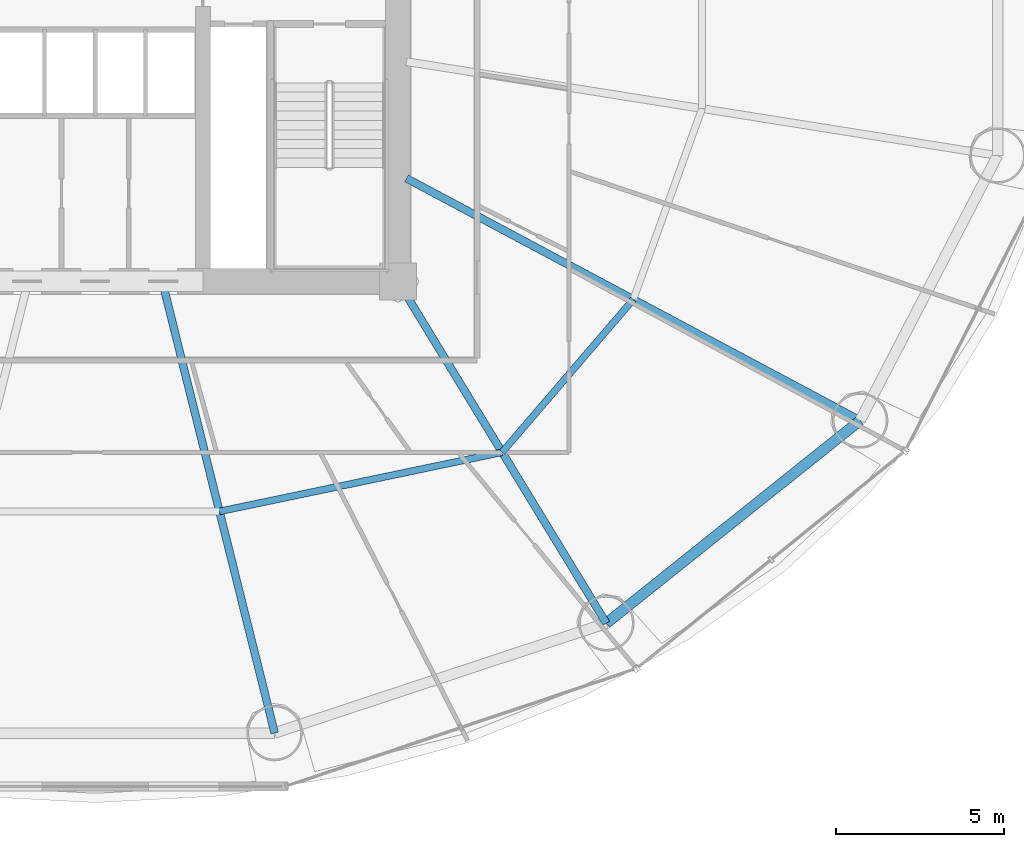
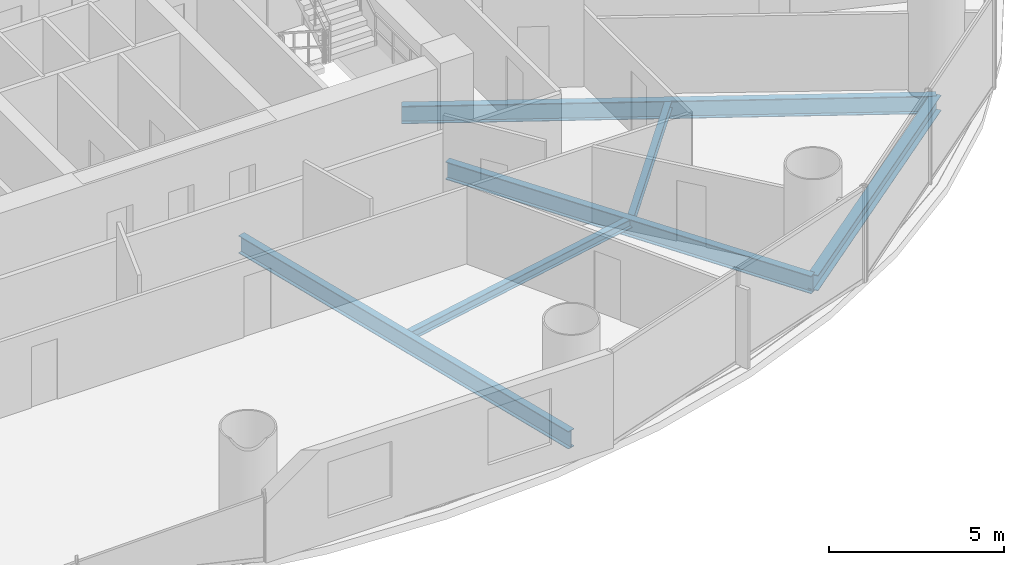
# One storey, part 9 of 28: 6 beams.
"""IFC4 building model written with IfcOpenShell, lengths in metres."""

from ifc_helpers import new_model, si_unit, direction, frame, origin, origin_2d, place, context, subcontext, project, spatial, i_section, extrude, material, material_profile, profile_set, type_object, element, save


model = new_model("IFC4")

# Units and contexts
model_context = context("Model", 3, precision=1e-05, world=origin(), true_north=direction((-0.2419218956, 0.970295726276)))
body_context = subcontext(model_context, "Body", "Model", "MODEL_VIEW")
ifc_project = project(units=[si_unit("LENGTHUNIT", "METRE"), si_unit("AREAUNIT", "SQUARE_METRE"), si_unit("VOLUMEUNIT", "CUBIC_METRE"), si_unit("PLANEANGLEUNIT", "RADIAN"), si_unit("MASSUNIT", "GRAM", prefix="KILO")], contexts=[model_context])

# Site, building, storey
site_placement = place(None, origin())
site = spatial("IfcSite", under=ifc_project, at=site_placement, CompositionType="ELEMENT")
building_placement = place(site_placement, origin())
building = spatial("IfcBuilding", under=site, at=building_placement, Name="Cobrevalo Terracotta Tower", CompositionType="ELEMENT")
storey_placement = place(building_placement, frame((0.0, 0.0, 42.0)))
storey = spatial("IfcBuildingStorey", under=building, at=storey_placement, Name="L10", CompositionType="ELEMENT", Elevation=42.0)

# Beams
ifc_material = material(Name="Steel S355", Category="steel")
ifc_material_profile_1 = material_profile(ifc_material, i_section(OverallWidth=0.22998046875, OverallDepth=0.616943359375, WebThickness=0.01318359375, FlangeThickness=0.022216796875, at=origin_2d()), Name="W 610x140")
ifc_profile_set_1 = profile_set([ifc_material_profile_1], Name="Steel S355")
beam_type_1 = type_object("IfcBeamType", Name="Structural Beam W 610x140 (Steel S355)", PredefinedType="BEAM", material=ifc_profile_set_1)
beam_1_placement = place(storey_placement, frame((43.335693359375, 5.369873046875, -0.58837890625), z_axis=(-0.241600470374, 0.970375810042, 0.0), x_axis=(-0.970375810042, -0.241600470374, 0.0)))
element("IfcBeam", 1, at=beam_1_placement, inside=storey, type_object=beam_type_1, Name="L10 radial floor girder 13", PredefinedType="BEAM", context=body_context, shape_type="SweptSolid", body=[
    extrude(i_section(OverallWidth=0.22998046875, OverallDepth=0.616943359375, WebThickness=0.01318359375, FlangeThickness=0.022216796875, at=origin_2d()), origin(), (0.0, 0.0, 1.0), 13.5771484375),
])
beam_2_placement = place(storey_placement, frame((53.19482421875, 8.63232421875, -0.58837890625), z_axis=(-0.520300780853, 0.853983077961, 0.0), x_axis=(-0.853983077961, -0.520300780853, 0.0)))
element("IfcBeam", 2, at=beam_2_placement, inside=storey, type_object=beam_type_1, Name="L10 radial floor girder 14", PredefinedType="BEAM", context=body_context, shape_type="SweptSolid", body=[
    extrude(i_section(OverallWidth=0.22998046875, OverallDepth=0.616943359375, WebThickness=0.01318359375, FlangeThickness=0.022216796875, at=origin_2d()), origin(), (0.0, 0.0, 1.0), 11.90625),
])
beam_3_placement = place(storey_placement, frame((60.74072265625, 14.660888671875, -0.58837890625), z_axis=(-0.88218223571, 0.470908168329, 0.0), x_axis=(-0.470908168329, -0.88218223571, 0.0)))
element("IfcBeam", 3, at=beam_3_placement, inside=storey, type_object=beam_type_1, Name="L10 radial floor girder 15", PredefinedType="BEAM", context=body_context, shape_type="SweptSolid", body=[
    extrude(i_section(OverallWidth=0.22998046875, OverallDepth=0.616943359375, WebThickness=0.01318359375, FlangeThickness=0.022216796875, at=origin_2d()), origin(), (0.0, 0.0, 1.0), 15.286865234375),
])
ifc_material_profile_2 = material_profile(ifc_material, i_section(OverallWidth=0.2041015625, OverallDepth=0.305908203125, WebThickness=0.008544921875, FlangeThickness=0.0146484375, at=origin_2d()), Name="W 310x67")
ifc_profile_set_2 = profile_set([ifc_material_profile_2], Name="Steel S355")
beam_type_2 = type_object("IfcBeamType", Name="Structural Joist W 310x67 (Steel S355)", PredefinedType="JOIST", material=ifc_profile_set_2)
beam_4_placement = place(storey_placement, frame((41.695556640625, 11.95751953125, -0.43310546875), z_axis=(0.978784523904, 0.204892302848, 0.0), x_axis=(-0.204892302848, 0.978784523904, 0.0)))
element("IfcBeam", 4, at=beam_4_placement, inside=storey, type_object=beam_type_2, Name="L10 circumferential secondary floor joist 13", PredefinedType="JOIST", context=body_context, shape_type="SweptSolid", body=[
    extrude(i_section(OverallWidth=0.2041015625, OverallDepth=0.305908203125, WebThickness=0.008544921875, FlangeThickness=0.0146484375, at=origin_2d()), origin(), (0.0, 0.0, 1.0), 8.583984375),
])
beam_5_placement = place(storey_placement, frame((50.097412109375, 13.71630859375, -0.43310546875), z_axis=(0.651328404454, 0.758795960421, 0.0), x_axis=(-0.758795960421, 0.651328404454, 0.0)))
element("IfcBeam", 5, at=beam_5_placement, inside=storey, type_object=beam_type_2, Name="L10 circumferential secondary floor joist 14", PredefinedType="JOIST", context=body_context, shape_type="SweptSolid", body=[
    extrude(i_section(OverallWidth=0.2041015625, OverallDepth=0.305908203125, WebThickness=0.008544921875, FlangeThickness=0.0146484375, at=origin_2d()), origin(), (0.0, 0.0, 1.0), 5.98828125),
])
ifc_material_profile_3 = material_profile(ifc_material, i_section(OverallWidth=0.31201171875, OverallDepth=0.54296875, WebThickness=0.0126953125, FlangeThickness=0.020263671875, at=origin_2d()), Name="W 530x150")
ifc_profile_set_3 = profile_set([ifc_material_profile_3], Name="Steel S355")
beam_type_3 = type_object("IfcBeamType", Name="Structural Spandrel W 530x150 (Steel S355)", PredefinedType="SPANDREL", material=ifc_profile_set_3)
beam_6_placement = place(storey_placement, frame((53.19482421875, 8.63232421875, -0.551513671875), z_axis=(0.781280479891, 0.62418011162, 0.0), x_axis=(-0.62418011162, 0.781280479891, 0.0)))
element("IfcBeam", 6, at=beam_6_placement, inside=storey, type_object=beam_type_3, Name="L10 perimeter ring spandrel 14", PredefinedType="SPANDREL", context=body_context, shape_type="SweptSolid", body=[
    extrude(i_section(OverallWidth=0.31201171875, OverallDepth=0.54296875, WebThickness=0.0126953125, FlangeThickness=0.020263671875, at=origin_2d()), origin(), (0.0, 0.0, 1.0), 9.658447265625),
])

save(model, "model.ifc")
